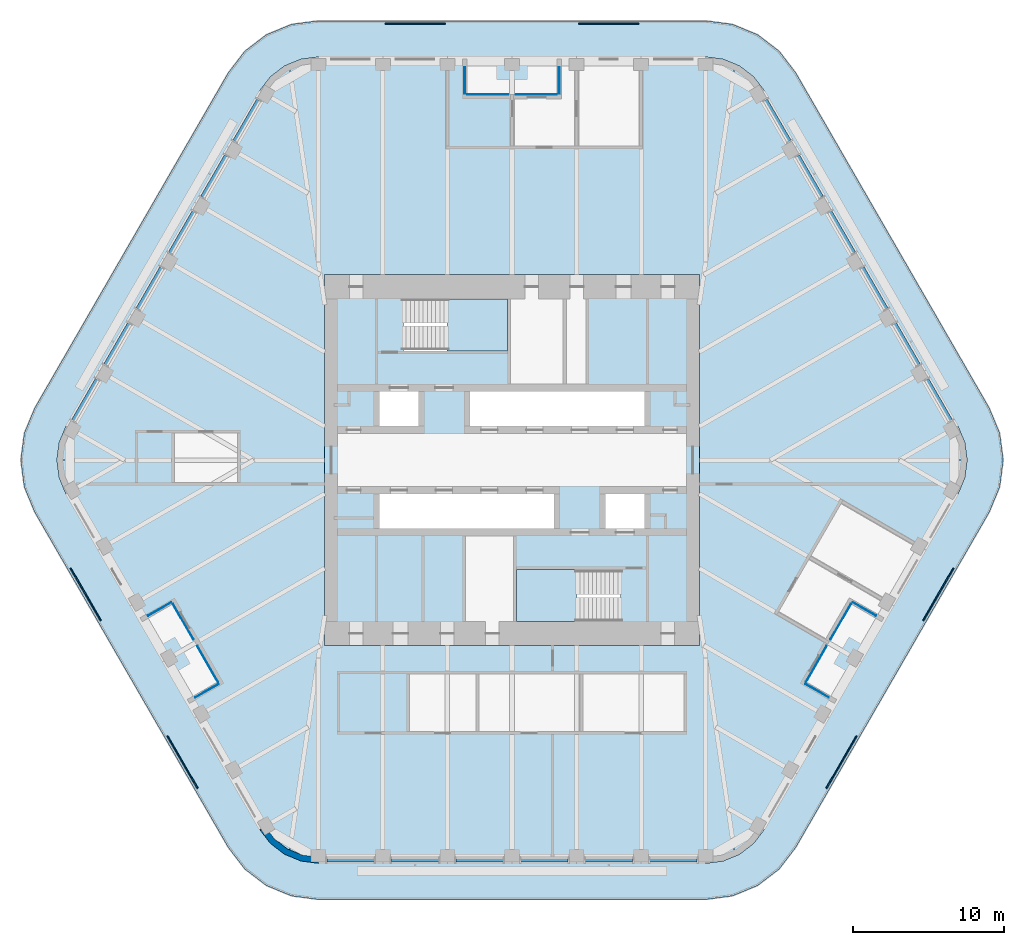
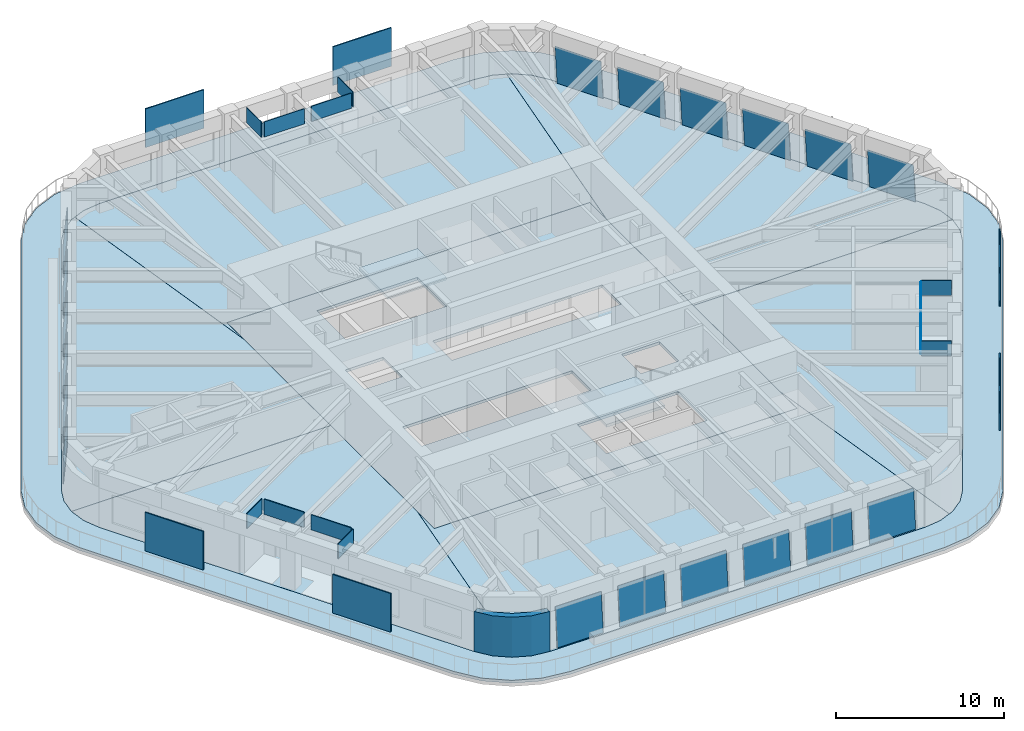
# One storey, part 12 of 19: 36 plates, 10 slabs, 1 wall, 20 elements without a shape of their own.
"""IFC4 building model written with IfcOpenShell, lengths in metres."""

import ifcopenshell
import ifcopenshell.guid

model = None  # the IFC model being written
_history = None  # IfcOwnerHistory: only IFC2X3 demands one
_inside = {}  # id of a spatial element -> (the spatial element, [elements in it])
_under = {}  # id of a project, library or spatial element -> (it, [spatial elements below it])
_declared = {}  # id of a project -> (the project, [libraries it declares])
_typed = {}  # id of a type object -> (the type object, [elements of that type])
_made_of = {}  # id of a material, layer set ... -> (it, [elements and type objects made of it])


def new_model(schema):
    """Start an empty IFC model of exactly this schema.

    Asked for "IFC4X3", IfcOpenShell would pick the latest addendum, in which some entities
    have other attributes; the version numbers below select the first issue.
    IFC2X3 requires an IfcOwnerHistory on every rooted entity: one is made here for all.
    """
    global model, _history
    if schema == "IFC4X3":
        model = ifcopenshell.file(schema_version=(4, 3, 0, 0))
    else:
        model = ifcopenshell.file(schema=schema)
    _inside.clear()
    _under.clear()
    _declared.clear()
    _typed.clear()
    _made_of.clear()
    _history = None
    if model.schema == "IFC2X3":
        org = make("IfcOrganization", Name="unknown")
        user = make(
            "IfcPersonAndOrganization",
            ThePerson=make("IfcPerson", FamilyName="unknown"),
            TheOrganization=org,
        )
        app = make(
            "IfcApplication",
            ApplicationDeveloper=org,
            Version="unknown",
            ApplicationFullName="unknown",
            ApplicationIdentifier="unknown",
        )
        _history = make(
            "IfcOwnerHistory",
            OwningUser=user,
            OwningApplication=app,
            ChangeAction="ADDED",
            CreationDate=0,
        )
    return model


def make(cls, **values):
    """One entity of the class cls with the attributes given. An attribute that is None is left unset."""
    return model.create_entity(
        cls, **{name: value for name, value in values.items() if value is not None}
    )


def rooted(cls, **values):
    """An entity with a GlobalId (a new one), such as an element, a storey or a relation."""
    return make(cls, GlobalId=ifcopenshell.guid.new(), OwnerHistory=_history, **values)


def si_unit(unit_type, name, prefix=None):
    """IfcSIUnit, for example si_unit("LENGTHUNIT", "METRE", prefix="MILLI")."""
    return make("IfcSIUnit", UnitType=unit_type, Prefix=prefix, Name=name)


def assignment(units):
    """IfcUnitAssignment: the units of a project."""
    return None if units is None else make("IfcUnitAssignment", Units=units)


def point(xyz):
    """IfcCartesianPoint."""
    return None if xyz is None else make("IfcCartesianPoint", Coordinates=xyz)


def direction(xyz):
    """IfcDirection."""
    return None if xyz is None else make("IfcDirection", DirectionRatios=xyz)


def frame(location, z_axis=None, x_axis=None):
    """IfcAxis2Placement3D, a coordinate frame: its origin and axes. An axis left out is left unset."""
    return make(
        "IfcAxis2Placement3D",
        Location=point(location),
        Axis=direction(z_axis),
        RefDirection=direction(x_axis),
    )


def frame_2d(location, x_axis=None):
    """IfcAxis2Placement2D, a coordinate frame in the plane: its origin and x axis."""
    return make(
        "IfcAxis2Placement2D", Location=point(location), RefDirection=direction(x_axis)
    )


def origin():
    """The frame at (0, 0, 0) with its axes left unset."""
    return frame((0.0, 0.0, 0.0))


def origin_2d():
    """The frame at (0, 0) in the plane with its x axis left unset."""
    return frame_2d((0.0, 0.0))


def place(relative_to, where):
    """IfcLocalPlacement: puts the frame where relative to a parent placement (None: the world)."""
    return make(
        "IfcLocalPlacement", PlacementRelTo=relative_to, RelativePlacement=where
    )


def context(
    kind, dimensions, precision=None, world=None, true_north=None, identifier=None
):
    """IfcGeometricRepresentationContext, for example the 3D "Model" context."""
    return make(
        "IfcGeometricRepresentationContext",
        ContextIdentifier=identifier,
        ContextType=kind,
        CoordinateSpaceDimension=dimensions,
        Precision=precision,
        WorldCoordinateSystem=world,
        TrueNorth=true_north,
    )


def subcontext(parent, identifier, kind, view, scale=None):
    """IfcGeometricRepresentationSubContext, for example "Body" below "Model"."""
    return make(
        "IfcGeometricRepresentationSubContext",
        ContextIdentifier=identifier,
        ContextType=kind,
        ParentContext=parent,
        TargetScale=scale,
        TargetView=view,
    )


def project(units=None, contexts=None):
    """IfcProject with its units and contexts."""
    return rooted(
        "IfcProject",
        Name="project",
        RepresentationContexts=contexts,
        UnitsInContext=assignment(units),
    )


def spatial(cls, under=None, at=None, **own):
    """A site, building, storey or space (cls), placed at a placement, below another one or the project."""
    s = rooted(cls, ObjectPlacement=at, **own)
    if under is not None:
        _under.setdefault(under.id(), (under, []))[1].append(s)
    return s


def polyline(points):
    """IfcPolyline through the points."""
    return make("IfcPolyline", Points=[point(p) for p in points])


def profile(cls, at=None, kind="AREA", **sizes):
    """A parametric profile (cls). Its sizes go by their IFC names, for example OverallWidth=200.0."""
    return make(cls, ProfileType=kind, Position=at, **sizes)


def rectangle(**sizes):
    """IfcRectangleProfileDef."""
    return profile("IfcRectangleProfileDef", **sizes)


def outline(outer, holes=None, kind="AREA"):
    """IfcArbitraryClosedProfileDef: a profile drawn as a closed curve; with holes, ...WithVoids."""
    if holes is None:
        return make("IfcArbitraryClosedProfileDef", ProfileType=kind, OuterCurve=outer)
    return make(
        "IfcArbitraryProfileDefWithVoids",
        ProfileType=kind,
        OuterCurve=outer,
        InnerCurves=holes,
    )


def extrude(swept, where, along, depth):
    """IfcExtrudedAreaSolid: the profile swept, set in the frame where, extruded along a direction by depth."""
    return make(
        "IfcExtrudedAreaSolid",
        SweptArea=swept,
        Position=where,
        ExtrudedDirection=direction(along),
        Depth=depth,
    )


def shape(context_of_items, identifier, shape_type, items):
    """IfcShapeRepresentation: the items that make up one representation, for example the "Body"."""
    return make(
        "IfcShapeRepresentation",
        ContextOfItems=context_of_items,
        RepresentationIdentifier=identifier,
        RepresentationType=shape_type,
        Items=items,
    )


def material(Name=None, Category=None):
    """IfcMaterial."""
    return make("IfcMaterial", Name=Name, Category=Category)


def layer(
    of_material, thickness, ventilated=None, Name=None, Category=None, Priority=None
):
    """IfcMaterialLayer: one layer of a wall or slab, of a material (None: an air gap)."""
    return make(
        "IfcMaterialLayer",
        Material=of_material,
        LayerThickness=thickness,
        IsVentilated=ventilated,
        Name=Name,
        Category=Category,
        Priority=Priority,
    )


def layer_set(layers, Name=None):
    """IfcMaterialLayerSet."""
    return make("IfcMaterialLayerSet", MaterialLayers=layers, LayerSetName=Name)


def made_of(thing, what):
    """Note that an element or type object is made of a material, layer set ...; save() writes the relation."""
    if what is not None:
        _made_of.setdefault(what.id(), (what, []))[1].append(thing)
    return thing


def type_object(cls, material=None, **own):
    """A type object (cls), such as IfcWallType, which elements share."""
    return made_of(rooted(cls, **own), material)


def element(
    cls,
    number,
    at=None,
    inside=None,
    cuts=None,
    type_object=None,
    material=None,
    context=None,
    identifier="Body",
    shape_type=None,
    held_by="IfcProductDefinitionShape",
    body=None,
    shapes=None,
    **own,
):
    """One element of the class cls, such as IfcWall. Its Tag is "e" and its number.

    at: its placement. inside: the storey or other place that contains it. cuts: it is an
    opening in that element (IfcRelVoidsElement). A single representation is given by context,
    identifier, shape_type and body (its items); several are given by shapes. held_by: the class
    of the entity that holds the representations. save() writes the other relations.
    """
    e = rooted(cls, Tag="e%d" % number, ObjectPlacement=at, **own)
    if body is not None:
        shapes = [shape(context, identifier, shape_type, body)]
    if shapes is not None:
        e.Representation = make(held_by, Representations=shapes)
    if inside is not None:
        _inside.setdefault(inside.id(), (inside, []))[1].append(e)
    if cuts is not None:
        rooted(
            "IfcRelVoidsElement", RelatingBuildingElement=cuts, RelatedOpeningElement=e
        )
    if type_object is not None:
        _typed.setdefault(type_object.id(), (type_object, []))[1].append(e)
    return made_of(e, material)


def aggregate(whole, parts):
    """IfcRelAggregates: a whole, such as a stair, and the parts it consists of."""
    return rooted("IfcRelAggregates", RelatingObject=whole, RelatedObjects=parts)


def save(model, path):
    """Write the relations noted so far, then the file.

    IfcRelAggregates (storeys below a building ...), IfcRelContainedInSpatialStructure (elements
    in a storey), IfcRelDefinesByType, IfcRelAssociatesMaterial and IfcRelDeclares: one each for
    every whole, place, type object, material and project.
    """
    for whole, parts in _under.values():
        aggregate(whole, parts)
    for where, things in _inside.values():
        rooted(
            "IfcRelContainedInSpatialStructure",
            RelatedElements=things,
            RelatingStructure=where,
        )
    for kind, things in _typed.values():
        rooted("IfcRelDefinesByType", RelatedObjects=things, RelatingType=kind)
    for what, things in _made_of.values():
        rooted("IfcRelAssociatesMaterial", RelatedObjects=things, RelatingMaterial=what)
    for by, libraries in _declared.values():
        rooted("IfcRelDeclares", RelatingContext=by, RelatedDefinitions=libraries)
    model.write(path)


model = new_model("IFC4")

# Units and contexts
model_context = context("Model", 3, precision=1e-05, world=origin(), true_north=direction((0.0, 1.0)))
body_context = subcontext(model_context, "Body", "Model", "MODEL_VIEW")
ifc_project = project(units=[si_unit("LENGTHUNIT", "METRE"), si_unit("AREAUNIT", "SQUARE_METRE"), si_unit("VOLUMEUNIT", "CUBIC_METRE"), si_unit("PLANEANGLEUNIT", "RADIAN"), si_unit("MASSUNIT", "GRAM", prefix="KILO")], contexts=[model_context])

# Site, building, storey
site_placement = place(None, origin())
site = spatial("IfcSite", under=ifc_project, at=site_placement, CompositionType="ELEMENT")
building_placement = place(site_placement, origin())
building = spatial("IfcBuilding", under=site, at=building_placement, Name="Tarfa Lantern Tower", CompositionType="ELEMENT")
storey_placement = place(building_placement, frame((0.0, 0.0, 336.699951171875)))
storey = spatial("IfcBuildingStorey", under=building, at=storey_placement, Name="L76", CompositionType="ELEMENT", Elevation=336.699951171875)

# Slab
ifc_material_1 = material(Name="Concrete C40/50", Category="concrete")
ifc_layer_1 = layer(ifc_material_1, 0.199951171875)
ifc_layer_set_1 = layer_set([ifc_layer_1], Name="BS2 BALCONY SLAB 200")
slab_type_1 = type_object("IfcSlabType", Name="BS2 BALCONY SLAB 200", PredefinedType="FLOOR", material=ifc_layer_set_1)
slab_1_placement = place(storey_placement, frame((0.0, 0.0, -0.199951171875)))
element("IfcSlab", 1, at=slab_1_placement, inside=storey, type_object=slab_type_1, Name="Balcony L76", PredefinedType="FLOOR", context=body_context, shape_type="SweptSolid", body=[
    extrude(outline(polyline([(31.667724609375, 3.449951171875), (18.821533203125, 25.699951171875), (17.72509765625, 27.129150390625), (16.296142578125, 28.2255859375), (14.6318359375, 28.914794921875), (12.845947265625, 29.14990234375), (-12.845947265625, 29.14990234375), (-14.6318359375, 28.914794921875), (-16.296142578125, 28.2255859375), (-17.72509765625, 27.129150390625), (-18.821533203125, 25.699951171875), (-31.667724609375, 3.449951171875), (-32.35693359375, 1.785888671875), (-32.592041015625, 0.0), (-32.35693359375, -1.785888671875), (-31.667724609375, -3.449951171875), (-18.821533203125, -25.699951171875), (-17.72509765625, -27.129150390625), (-16.296142578125, -28.2255859375), (-14.6318359375, -28.914794921875), (-12.845947265625, -29.14990234375), (12.845947265625, -29.14990234375), (14.6318359375, -28.914794921875), (16.296142578125, -28.2255859375), (17.72509765625, -27.129150390625), (18.821533203125, -25.699951171875), (31.667724609375, -3.449951171875), (32.35693359375, -1.785888671875), (32.592041015625, 0.0), (32.35693359375, 1.785888671875), (31.667724609375, 3.449951171875)]), holes=[polyline([(29.589111328125, 2.25), (16.7431640625, 24.5), (16.028076171875, 25.431884765625), (15.095947265625, 26.147216796875), (14.0107421875, 26.5966796875), (12.845947265625, 26.75), (-12.845947265625, 26.75), (-14.0107421875, 26.5966796875), (-15.095947265625, 26.147216796875), (-16.028076171875, 25.431884765625), (-16.7431640625, 24.5), (-29.589111328125, 2.25), (-30.038818359375, 1.164794921875), (-30.192138671875, 0.0), (-30.038818359375, -1.164794921875), (-29.589111328125, -2.25), (-16.7431640625, -24.5), (-16.028076171875, -25.431884765625), (-15.095947265625, -26.147216796875), (-14.0107421875, -26.5966796875), (-12.845947265625, -26.75), (12.845947265625, -26.75), (14.0107421875, -26.5966796875), (15.095947265625, -26.147216796875), (16.028076171875, -25.431884765625), (16.7431640625, -24.5), (29.589111328125, -2.25), (30.038818359375, -1.164794921875), (30.192138671875, 0.0), (30.038818359375, 1.164794921875), (29.589111328125, 2.25)])]), origin(), (0.0, 0.0, 1.0), 0.199951171875),
])

# Curtain wall, plate
ifc_material_2 = material(Name="Aluminium framed curtain wall", Category="aluminium")
curtain_wall_type = type_object("IfcCurtainWallType", Name="CW4 CANTED GLAZING EXECUTIVE ZONE 2900", PredefinedType="USERDEFINED", material=ifc_material_2)
curtain_wall_1_placement = place(storey_placement, origin())
curtain_wall_1 = element("IfcCurtainWall", 2, at=curtain_wall_1_placement, inside=storey, type_object=curtain_wall_type, Name="CW4 NE L76", ObjectType="CURTAIN WALL", PredefinedType="USERDEFINED")
ifc_material_3 = material(Name="Laminated double glazing", Category="glass")
ifc_layer_2 = layer(ifc_material_3, 0.028076171875)
ifc_layer_set_2 = layer_set([ifc_layer_2], Name="CWP1 DOUBLE GLAZED PANEL")
plate_type_1 = type_object("IfcPlateType", Name="CWP1 DOUBLE GLAZED PANEL", PredefinedType="CURTAIN_PANEL", material=ifc_layer_set_2)
plate_1_placement = place(storey_placement, frame((29.22021484375, 2.689208984375, 0.0), z_axis=(0.862804843011, 0.49819050769, 0.085872119595), x_axis=(-0.500037562771, 0.866003715822, 0.0)))
plate_1 = element("IfcPlate", 3, at=plate_1_placement, type_object=plate_type_1, Name="CW4 panel 1.1", PredefinedType="CURTAIN_PANEL", context=body_context, shape_type="SweptSolid", body=[
    extrude(outline(polyline([(0.0, 0.0), (3.1521069462545803, 0.0), (3.1522365138844113, 2.845471633558051), (0.00012956762983128145, 2.845471633558051), (0.0, 0.0)])), origin(), (0.0, 0.0, -1.0), 0.028076171875),
])
aggregate(curtain_wall_1, [plate_1])

curtain_wall_2_placement = place(storey_placement, origin())
curtain_wall_2 = element("IfcCurtainWall", 4, at=curtain_wall_2_placement, inside=storey, type_object=curtain_wall_type, Name="CW4 NE L76", ObjectType="CURTAIN WALL", PredefinedType="USERDEFINED")
plate_2_placement = place(storey_placement, frame((27.0791015625, 6.397705078125, 0.0), z_axis=(0.862835078884, 0.498130796369, 0.085914703959), x_axis=(-0.499979472441, 0.866037255052, 0.0)))
plate_2 = element("IfcPlate", 5, at=plate_2_placement, type_object=plate_type_1, Name="CW4 panel 1.1", PredefinedType="CURTAIN_PANEL", context=body_context, shape_type="SweptSolid", body=[
    extrude(outline(polyline([(0.0, 0.0), (3.1519848738624487, 1.3877787807814457e-17), (3.151886616495537, 2.8454821188624972), (-9.82573669122272e-05, 2.8454821188624972), (0.0, 0.0)])), origin(), (0.0, 0.0, -1.0), 0.028076171875),
])
aggregate(curtain_wall_2, [plate_2])

curtain_wall_3_placement = place(storey_placement, origin())
curtain_wall_3 = element("IfcCurtainWall", 6, at=curtain_wall_3_placement, inside=storey, type_object=curtain_wall_type, Name="CW4 NE L76", ObjectType="CURTAIN WALL", PredefinedType="USERDEFINED")
plate_3_placement = place(storey_placement, frame((24.93798828125, 10.10595703125, 0.0), z_axis=(0.862827022781, 0.498148421989, 0.085893413189), x_axis=(-0.499996118478, 0.866027644769, -1.657084e-06)))
plate_3 = element("IfcPlate", 7, at=plate_3_placement, type_object=plate_type_1, Name="CW4 panel 1.1", PredefinedType="CURTAIN_PANEL", context=body_context, shape_type="SweptSolid", body=[
    extrude(outline(polyline([(0.0, 0.0), (3.1519848732758744, -1.3877787807814457e-17), (3.151886617082093, 2.845482118212779), (0.0001131763366805867, 2.8454716336074517), (0.0, 0.0)])), origin(), (0.0, 0.0, -1.0), 0.028076171875),
])
aggregate(curtain_wall_3, [plate_3])

curtain_wall_4_placement = place(storey_placement, origin())
curtain_wall_4 = element("IfcCurtainWall", 8, at=curtain_wall_4_placement, inside=storey, type_object=curtain_wall_type, Name="CW4 NE L76", ObjectType="CURTAIN WALL", PredefinedType="USERDEFINED")
plate_4_placement = place(storey_placement, frame((22.797119140625, 13.814208984375, 0.0), z_axis=(0.862838258141, 0.498132631813, 0.085872122435), x_axis=(-0.499979472441, 0.866037255052, 0.0)))
plate_4 = element("IfcPlate", 9, at=plate_4_placement, type_object=plate_type_1, Name="CW4 panel 1.1", PredefinedType="CURTAIN_PANEL", context=body_context, shape_type="SweptSolid", body=[
    extrude(outline(polyline([(0.0, 0.0), (3.1519848738624487, 0.0), (3.1520980513722585, 2.8454716342571658), (0.0001131775098094225, 2.8454716342571658), (0.0, 0.0)])), origin(), (0.0, 0.0, -1.0), 0.028076171875),
])
aggregate(curtain_wall_4, [plate_4])

curtain_wall_5_placement = place(storey_placement, origin())
curtain_wall_5 = element("IfcCurtainWall", 10, at=curtain_wall_5_placement, inside=storey, type_object=curtain_wall_type, Name="CW4 NE L76", ObjectType="CURTAIN WALL", PredefinedType="USERDEFINED")
plate_5_placement = place(storey_placement, frame((20.656005859375, 17.522705078125, 0.0), z_axis=(0.862835078884, 0.498130796369, 0.085914703959), x_axis=(-0.499979472441, 0.866037255052, 0.0)))
plate_5 = element("IfcPlate", 11, at=plate_5_placement, type_object=plate_type_1, Name="CW4 panel 1.1", PredefinedType="CURTAIN_PANEL", context=body_context, shape_type="SweptSolid", body=[
    extrude(outline(polyline([(0.0, 0.0), (3.1519848738624487, 1.3877787807814457e-17), (3.151886616495537, 2.8454821188624972), (-9.82573669122272e-05, 2.8454821188624972), (0.0, 0.0)])), origin(), (0.0, 0.0, -1.0), 0.028076171875),
])
aggregate(curtain_wall_5, [plate_5])

curtain_wall_6_placement = place(storey_placement, origin())
curtain_wall_6 = element("IfcCurtainWall", 12, at=curtain_wall_6_placement, inside=storey, type_object=curtain_wall_type, Name="CW4 NE L76", ObjectType="CURTAIN WALL", PredefinedType="USERDEFINED")
plate_6_placement = place(storey_placement, frame((18.51513671875, 21.23095703125, 0.0), z_axis=(0.862793605668, 0.498206298305, 0.085893412712), x_axis=(-0.500054209453, 0.865994103678, -1.657212e-06)))
plate_6 = element("IfcPlate", 13, at=plate_6_placement, type_object=plate_type_1, Name="CW4 panel 1.1", PredefinedType="CURTAIN_PANEL", context=body_context, shape_type="SweptSolid", body=[
    extrude(outline(polyline([(0.0, 0.0), (3.1521069456678914, 2.7755575615628914e-17), (3.1520250877826514, 2.8454821187316206), (0.00012956645647832136, 2.845471632908193), (0.0, 0.0)])), origin(), (0.0, 0.0, -1.0), 0.028076171875),
])
aggregate(curtain_wall_6, [plate_6])

curtain_wall_7_placement = place(storey_placement, origin())
curtain_wall_7 = element("IfcCurtainWall", 14, at=curtain_wall_7_placement, inside=storey, type_object=curtain_wall_type, Name="CW4 NW L76", ObjectType="CURTAIN WALL", PredefinedType="USERDEFINED")
plate_7_placement = place(storey_placement, frame((-16.93896484375, 23.960693359375, 0.0), z_axis=(-0.862793605668, 0.498206298305, 0.085893412712), x_axis=(-0.500054209453, -0.865994103678, 1.657212e-06)))
plate_7 = element("IfcPlate", 15, at=plate_7_placement, type_object=plate_type_1, Name="CW4 panel 1.1", PredefinedType="CURTAIN_PANEL", context=body_context, shape_type="SweptSolid", body=[
    extrude(outline(polyline([(0.0, 0.0), (3.1521069456678914, -2.7755575615628914e-17), (3.151977379211413, 2.845471632908193), (8.185788524001455e-05, 2.8454821187316206), (0.0, 0.0)])), origin(), (0.0, 0.0, -1.0), 0.028076171875),
])
aggregate(curtain_wall_7, [plate_7])

curtain_wall_8_placement = place(storey_placement, origin())
curtain_wall_8 = element("IfcCurtainWall", 16, at=curtain_wall_8_placement, inside=storey, type_object=curtain_wall_type, Name="CW4 NW L76", ObjectType="CURTAIN WALL", PredefinedType="USERDEFINED")
plate_8_placement = place(storey_placement, frame((-19.080078125, 20.25244140625, 0.0), z_axis=(-0.862835078884, 0.498130796369, 0.085914703959), x_axis=(-0.499979472441, -0.866037255052, 0.0)))
plate_8 = element("IfcPlate", 17, at=plate_8_placement, type_object=plate_type_1, Name="CW4 panel 1.1", PredefinedType="CURTAIN_PANEL", context=body_context, shape_type="SweptSolid", body=[
    extrude(outline(polyline([(0.0, 0.0), (3.1519848738624487, -1.3877787807814457e-17), (3.1520831312293613, 2.8454821188624972), (9.82573669122272e-05, 2.8454821188624972), (0.0, 0.0)])), origin(), (0.0, 0.0, -1.0), 0.028076171875),
])
aggregate(curtain_wall_8, [plate_8])

curtain_wall_9_placement = place(storey_placement, origin())
curtain_wall_9 = element("IfcCurtainWall", 18, at=curtain_wall_9_placement, inside=storey, type_object=curtain_wall_type, Name="CW4 NW L76", ObjectType="CURTAIN WALL", PredefinedType="USERDEFINED")
plate_9_placement = place(storey_placement, frame((-21.22119140625, 16.5439453125, 0.0), z_axis=(-0.862838258141, 0.498132631813, 0.085872122435), x_axis=(-0.499979472441, -0.866037255052, 0.0)))
plate_9 = element("IfcPlate", 19, at=plate_9_placement, type_object=plate_type_1, Name="CW4 panel 1.1", PredefinedType="CURTAIN_PANEL", context=body_context, shape_type="SweptSolid", body=[
    extrude(outline(polyline([(0.0, 0.0), (3.1519848738624487, 0.0), (3.15187169635264, 2.8454716342571658), (-0.0001131775098094225, 2.8454716342571658), (0.0, 0.0)])), origin(), (0.0, 0.0, -1.0), 0.028076171875),
])
aggregate(curtain_wall_9, [plate_9])

curtain_wall_10_placement = place(storey_placement, origin())
curtain_wall_10 = element("IfcCurtainWall", 20, at=curtain_wall_10_placement, inside=storey, type_object=curtain_wall_type, Name="CW4 NW L76", ObjectType="CURTAIN WALL", PredefinedType="USERDEFINED")
plate_10_placement = place(storey_placement, frame((-23.362060546875, 12.835693359375, 0.0), z_axis=(-0.862827022781, 0.498148421989, 0.085893413189), x_axis=(-0.499996118478, -0.866027644769, 1.657084e-06)))
plate_10 = element("IfcPlate", 21, at=plate_10_placement, type_object=plate_type_1, Name="CW4 panel 1.1", PredefinedType="CURTAIN_PANEL", context=body_context, shape_type="SweptSolid", body=[
    extrude(outline(polyline([(0.0, 0.0), (3.1519848732758744, 1.3877787807814457e-17), (3.151871696939194, 2.8454716336074517), (9.825619378062742e-05, 2.845482118212779), (0.0, 0.0)])), origin(), (0.0, 0.0, -1.0), 0.028076171875),
])
aggregate(curtain_wall_10, [plate_10])

curtain_wall_11_placement = place(storey_placement, origin())
curtain_wall_11 = element("IfcCurtainWall", 22, at=curtain_wall_11_placement, inside=storey, type_object=curtain_wall_type, Name="CW4 NW L76", ObjectType="CURTAIN WALL", PredefinedType="USERDEFINED")
plate_11_placement = place(storey_placement, frame((-25.503173828125, 9.12744140625, 0.0), z_axis=(-0.862835078884, 0.498130796369, 0.085914703959), x_axis=(-0.499979472441, -0.866037255052, 0.0)))
plate_11 = element("IfcPlate", 23, at=plate_11_placement, type_object=plate_type_1, Name="CW4 panel 1.1", PredefinedType="CURTAIN_PANEL", context=body_context, shape_type="SweptSolid", body=[
    extrude(outline(polyline([(0.0, 0.0), (3.1519848738624487, -1.3877787807814457e-17), (3.1520831312293613, 2.8454821188624972), (9.82573669122272e-05, 2.8454821188624972), (0.0, 0.0)])), origin(), (0.0, 0.0, -1.0), 0.028076171875),
])
aggregate(curtain_wall_11, [plate_11])

curtain_wall_12_placement = place(storey_placement, origin())
curtain_wall_12 = element("IfcCurtainWall", 24, at=curtain_wall_12_placement, inside=storey, type_object=curtain_wall_type, Name="CW4 NW L76", ObjectType="CURTAIN WALL", PredefinedType="USERDEFINED")
plate_12_placement = place(storey_placement, frame((-27.64404296875, 5.4189453125, 0.0), z_axis=(-0.862804843011, 0.49819050769, 0.085872119595), x_axis=(-0.500037562771, -0.866003715822, 0.0)))
plate_12 = element("IfcPlate", 25, at=plate_12_placement, type_object=plate_type_1, Name="CW4 panel 1.1", PredefinedType="CURTAIN_PANEL", context=body_context, shape_type="SweptSolid", body=[
    extrude(outline(polyline([(0.0, 0.0), (3.1521069462545803, 0.0), (3.151977378624749, 2.845471633558051), (-0.00012956762983128145, 2.845471633558051), (0.0, 0.0)])), origin(), (0.0, 0.0, -1.0), 0.028076171875),
])
aggregate(curtain_wall_12, [plate_12])

curtain_wall_13_placement = place(storey_placement, origin())
curtain_wall_13 = element("IfcCurtainWall", 26, at=curtain_wall_13_placement, inside=storey, type_object=curtain_wall_type, Name="CW4 S L76", ObjectType="CURTAIN WALL", PredefinedType="USERDEFINED")
plate_13_placement = place(storey_placement, frame((-12.281005859375, -26.64990234375, 0.0), z_axis=(0.0, -0.996305022141, 0.085885405371), x_axis=(1.0, 0.0, 0.0)))
plate_13 = element("IfcPlate", 27, at=plate_13_placement, type_object=plate_type_1, Name="CW4 panel 1.1", PredefinedType="CURTAIN_PANEL", context=body_context, shape_type="SweptSolid", body=[
    extrude(outline(polyline([(0.0, 0.0), (3.15185546875, 0.0), (3.15185546875, 2.8454749042682606), (0.0, 2.8454749042682606), (0.0, 0.0)])), origin(), (0.0, 0.0, -1.0), 0.028076171875),
])
aggregate(curtain_wall_13, [plate_13])

curtain_wall_14_placement = place(storey_placement, origin())
curtain_wall_14 = element("IfcCurtainWall", 28, at=curtain_wall_14_placement, inside=storey, type_object=curtain_wall_type, Name="CW4 S L76", ObjectType="CURTAIN WALL", PredefinedType="USERDEFINED")
plate_14_placement = place(storey_placement, frame((-7.9990234375, -26.64990234375, 0.0), z_axis=(0.0, -0.996305022141, 0.085885405371), x_axis=(1.0, 0.0, 0.0)))
plate_14 = element("IfcPlate", 29, at=plate_14_placement, type_object=plate_type_1, Name="CW4 panel 1.1", PredefinedType="CURTAIN_PANEL", context=body_context, shape_type="SweptSolid", body=[
    extrude(outline(polyline([(0.0, 0.0), (3.152099609375, 0.0), (3.152099609375, 2.8454749042682606), (0.0, 2.8454749042682606), (0.0, 0.0)])), origin(), (0.0, 0.0, -1.0), 0.028076171875),
])
aggregate(curtain_wall_14, [plate_14])

curtain_wall_15_placement = place(storey_placement, origin())
curtain_wall_15 = element("IfcCurtainWall", 30, at=curtain_wall_15_placement, inside=storey, type_object=curtain_wall_type, Name="CW4 S L76", ObjectType="CURTAIN WALL", PredefinedType="USERDEFINED")
plate_15_placement = place(storey_placement, frame((-3.717041015625, -26.64990234375, 0.0), z_axis=(0.0, -0.996305022141, 0.085885405371), x_axis=(1.0, 0.0, 0.0)))
plate_15 = element("IfcPlate", 31, at=plate_15_placement, type_object=plate_type_1, Name="CW4 panel 1.1", PredefinedType="CURTAIN_PANEL", context=body_context, shape_type="SweptSolid", body=[
    extrude(outline(polyline([(0.0, 0.0), (3.152099609375, 0.0), (3.152099609375, 2.8454749042682606), (0.0, 2.8454749042682606), (0.0, 0.0)])), origin(), (0.0, 0.0, -1.0), 0.028076171875),
])
aggregate(curtain_wall_15, [plate_15])

curtain_wall_16_placement = place(storey_placement, origin())
curtain_wall_16 = element("IfcCurtainWall", 32, at=curtain_wall_16_placement, inside=storey, type_object=curtain_wall_type, Name="CW4 S L76", ObjectType="CURTAIN WALL", PredefinedType="USERDEFINED")
plate_16_placement = place(storey_placement, frame((0.56494140625, -26.64990234375, 0.0), z_axis=(0.0, -0.996305022141, 0.085885405371), x_axis=(1.0, 0.0, 0.0)))
plate_16 = element("IfcPlate", 33, at=plate_16_placement, type_object=plate_type_1, Name="CW4 panel 1.1", PredefinedType="CURTAIN_PANEL", context=body_context, shape_type="SweptSolid", body=[
    extrude(outline(polyline([(0.0, 0.0), (3.152099609375, 0.0), (3.152099609375, 2.8454749042682606), (0.0, 2.8454749042682606), (0.0, 0.0)])), origin(), (0.0, 0.0, -1.0), 0.028076171875),
])
aggregate(curtain_wall_16, [plate_16])

curtain_wall_17_placement = place(storey_placement, origin())
curtain_wall_17 = element("IfcCurtainWall", 34, at=curtain_wall_17_placement, inside=storey, type_object=curtain_wall_type, Name="CW4 S L76", ObjectType="CURTAIN WALL", PredefinedType="USERDEFINED")
plate_17_placement = place(storey_placement, frame((4.846923828125, -26.64990234375, 0.0), z_axis=(0.0, -0.996305022141, 0.085885405371), x_axis=(1.0, 0.0, 0.0)))
plate_17 = element("IfcPlate", 35, at=plate_17_placement, type_object=plate_type_1, Name="CW4 panel 1.1", PredefinedType="CURTAIN_PANEL", context=body_context, shape_type="SweptSolid", body=[
    extrude(outline(polyline([(0.0, 0.0), (3.152099609375, 0.0), (3.152099609375, 2.8454749042682606), (0.0, 2.8454749042682606), (0.0, 0.0)])), origin(), (0.0, 0.0, -1.0), 0.028076171875),
])
aggregate(curtain_wall_17, [plate_17])

curtain_wall_18_placement = place(storey_placement, origin())
curtain_wall_18 = element("IfcCurtainWall", 36, at=curtain_wall_18_placement, inside=storey, type_object=curtain_wall_type, Name="CW4 S L76", ObjectType="CURTAIN WALL", PredefinedType="USERDEFINED")
plate_18_placement = place(storey_placement, frame((9.129150390625, -26.64990234375, 0.0), z_axis=(0.0, -0.996305022141, 0.085885405371), x_axis=(1.0, 0.0, 0.0)))
plate_18 = element("IfcPlate", 37, at=plate_18_placement, type_object=plate_type_1, Name="CW4 panel 1.1", PredefinedType="CURTAIN_PANEL", context=body_context, shape_type="SweptSolid", body=[
    extrude(outline(polyline([(0.0, 0.0), (3.15185546875, 0.0), (3.15185546875, 2.8454749042682606), (0.0, 2.8454749042682606), (0.0, 0.0)])), origin(), (0.0, 0.0, -1.0), 0.028076171875),
])
aggregate(curtain_wall_18, [plate_18])

# Slabs
ifc_layer_3 = layer(ifc_material_1, 0.199951171875)
ifc_layer_set_3 = layer_set([ifc_layer_3], Name="FS1 FLOOR SLAB 200")
slab_type_2 = type_object("IfcSlabType", Name="FS1 FLOOR SLAB 200", PredefinedType="FLOOR", material=ifc_layer_set_3)
slab_2_placement = place(storey_placement, frame((0.0, 0.0, -0.199951171875)))
element("IfcSlab", 38, at=slab_2_placement, inside=storey, type_object=slab_type_2, Name="Floor slab L76", PredefinedType="FLOOR", context=body_context, shape_type="SweptSolid", body=[
    extrude(outline(polyline([(-12.425048828125, -12.300048828125), (12.425048828125, -12.300048828125), (12.425048828125, 12.300048828125), (-12.425048828125, 12.300048828125), (-12.425048828125, -12.300048828125)]), holes=[polyline([(-8.800048828125, 2.25), (-6.199951171875, 2.25), (-6.199951171875, 4.550048828125), (-8.800048828125, 4.550048828125), (-8.800048828125, 2.25)]), polyline([(-2.800048828125, 2.25), (8.800048828125, 2.25), (8.800048828125, 4.550048828125), (-2.800048828125, 4.550048828125), (-2.800048828125, 2.25)]), polyline([(8.800048828125, -2.25), (6.199951171875, -2.25), (6.199951171875, -4.550048828125), (8.800048828125, -4.550048828125), (8.800048828125, -2.25)]), polyline([(2.800048828125, -2.25), (-8.800048828125, -2.25), (-8.800048828125, -4.550048828125), (2.800048828125, -4.550048828125), (2.800048828125, -2.25)]), polyline([(-7.199951171875, 7.25), (-0.300048828125, 7.25), (-0.300048828125, 10.699951171875), (-7.199951171875, 10.699951171875), (-7.199951171875, 7.25)]), polyline([(7.199951171875, -7.25), (0.300048828125, -7.25), (0.300048828125, -10.699951171875), (7.199951171875, -10.699951171875), (7.199951171875, -7.25)])]), origin(), (0.0, 0.0, 1.0), 0.199951171875),
])
slab_3_placement = place(storey_placement, frame((0.0, 0.0, -0.199951171875)))
element("IfcSlab", 39, at=slab_3_placement, inside=storey, type_object=slab_type_2, Name="Floor slab L76 NE bay", PredefinedType="FLOOR", context=body_context, shape_type="SweptSolid", body=[
    extrude(outline(polyline([(29.58740234375, 2.2490234375), (16.741455078125, 24.498779296875), (16.026611328125, 25.4306640625), (15.094970703125, 26.145263671875), (14.802001953125, 26.2666015625), (12.427001953125, 10.2998046875), (12.427001953125, 0.001953125), (30.189697265625, 0.001953125), (30.036865234375, 1.1640625), (29.58740234375, 2.2490234375)])), origin(), (0.0, 0.0, 1.0), 0.199951171875),
])
slab_4_placement = place(storey_placement, frame((0.0, 0.0, -0.199951171875)))
element("IfcSlab", 40, at=slab_4_placement, inside=storey, type_object=slab_type_2, Name="Floor slab L76 N bay", PredefinedType="FLOOR", context=body_context, shape_type="SweptSolid", body=[
    extrude(outline(polyline([(-12.427001953125, 10.3271484375), (-12.427001953125, 12.302001953125), (12.427001953125, 12.302001953125), (12.427001953125, 10.3271484375), (14.79833984375, 26.268310546875), (14.01025390625, 26.5947265625), (12.845947265625, 26.748046875), (-12.845947265625, 26.748046875), (-14.01025390625, 26.5947265625), (-14.79833984375, 26.268310546875), (-12.427001953125, 10.3271484375)])), origin(), (0.0, 0.0, 1.0), 0.199951171875),
])
slab_5_placement = place(storey_placement, frame((0.0, 0.0, -0.199951171875)))
element("IfcSlab", 41, at=slab_5_placement, inside=storey, type_object=slab_type_2, Name="Floor slab L76 NW bay", PredefinedType="FLOOR", context=body_context, shape_type="SweptSolid", body=[
    extrude(outline(polyline([(-12.427001953125, 0.001953125), (-12.427001953125, 10.2998046875), (-14.802001953125, 26.2666015625), (-15.094970703125, 26.145263671875), (-16.026611328125, 25.4306640625), (-16.741455078125, 24.498779296875), (-29.58740234375, 2.2490234375), (-30.036865234375, 1.1640625), (-30.189697265625, 0.001953125), (-12.427001953125, 0.001953125)])), origin(), (0.0, 0.0, 1.0), 0.199951171875),
])
slab_6_placement = place(storey_placement, frame((0.0, 0.0, -0.199951171875)))
element("IfcSlab", 42, at=slab_6_placement, inside=storey, type_object=slab_type_2, Name="Floor slab L76 SW bay", PredefinedType="FLOOR", context=body_context, shape_type="SweptSolid", body=[
    extrude(outline(polyline([(-12.427001953125, -10.2998046875), (-12.427001953125, -0.001953125), (-30.189697265625, -0.001953125), (-30.036865234375, -1.1640625), (-29.58740234375, -2.2490234375), (-16.741455078125, -24.498779296875), (-16.026611328125, -25.4306640625), (-15.094970703125, -26.145263671875), (-14.802001953125, -26.2666015625), (-12.427001953125, -10.2998046875)])), origin(), (0.0, 0.0, 1.0), 0.199951171875),
])
slab_7_placement = place(storey_placement, frame((0.0, 0.0, -0.199951171875)))
element("IfcSlab", 43, at=slab_7_placement, inside=storey, type_object=slab_type_2, Name="Floor slab L76 S bay", PredefinedType="FLOOR", context=body_context, shape_type="SweptSolid", body=[
    extrude(outline(polyline([(12.427001953125, -10.3271484375), (12.427001953125, -12.302001953125), (-12.427001953125, -12.302001953125), (-12.427001953125, -10.3271484375), (-14.79833984375, -26.268310546875), (-14.01025390625, -26.5947265625), (-12.845947265625, -26.748046875), (12.845947265625, -26.748046875), (14.01025390625, -26.5947265625), (14.79833984375, -26.268310546875), (12.427001953125, -10.3271484375)])), origin(), (0.0, 0.0, 1.0), 0.199951171875),
])
slab_8_placement = place(storey_placement, frame((0.0, 0.0, -0.199951171875)))
element("IfcSlab", 44, at=slab_8_placement, inside=storey, type_object=slab_type_2, Name="Floor slab L76 SE bay", PredefinedType="FLOOR", context=body_context, shape_type="SweptSolid", body=[
    extrude(outline(polyline([(12.427001953125, -0.001953125), (12.427001953125, -10.2998046875), (14.802001953125, -26.2666015625), (15.094970703125, -26.145263671875), (16.026611328125, -25.4306640625), (16.741455078125, -24.498779296875), (29.58740234375, -2.2490234375), (30.036865234375, -1.1640625), (30.189697265625, -0.001953125), (12.427001953125, -0.001953125)])), origin(), (0.0, 0.0, 1.0), 0.199951171875),
])

# Plates
ifc_material_4 = material(Name="Aluminium fascia panel", Category="aluminium")
ifc_layer_4 = layer(ifc_material_4, 0.050048828125)
ifc_layer_set_4 = layer_set([ifc_layer_4], Name="LF1 LOGGIA HEAD FASCIA 50")
plate_type_2 = type_object("IfcPlateType", Name="LF1 LOGGIA HEAD FASCIA 50", PredefinedType="USERDEFINED", material=ifc_layer_set_4)
for number, where, z_axis, x_axis, name in (
    (45, (1.615966796875, 24.25, 2.89990234375), (0.0, 0.0, 1.0), (-1.0, 0.0, 0.0), "Terrace head fascia N"),
    (46, (-1.615966796875, 24.25, 2.89990234375), (0.0, 0.0, 1.0), (-1.0, 0.0, 0.0), "Terrace head fascia N"),
):
    element("IfcPlate", number, at=place(storey_placement, frame(where, z_axis=z_axis, x_axis=x_axis)), inside=storey, type_object=plate_type_2, Name=name, ObjectType="FASCIA", PredefinedType="USERDEFINED", context=body_context, shape_type="SweptSolid", body=[
        extrude(rectangle(XDim=2.73193359375, YDim=0.050048828125, at=origin_2d()), origin(), (0.0, 0.0, 1.0), 1.10009765625),
    ])
for number, where, z_axis, x_axis, name in (
    (47, (3.132080078125, 25.18505859375, 2.89990234375), (0.0, 0.0, 1.0), (0.0, -1.0, 0.0), "Terrace head fascia N"),
    (48, (-3.132080078125, 25.18505859375, 2.89990234375), (0.0, 0.0, 1.0), (0.0, -1.0, 0.0), "Terrace head fascia N"),
):
    element("IfcPlate", number, at=place(storey_placement, frame(where, z_axis=z_axis, x_axis=x_axis)), inside=storey, type_object=plate_type_2, Name=name, ObjectType="FASCIA", PredefinedType="USERDEFINED", context=body_context, shape_type="SweptSolid", body=[
        extrude(rectangle(XDim=1.77001953125, YDim=0.050048828125, at=origin_2d()), origin(), (0.0, 0.0, 1.0), 1.10009765625),
    ])
for number, where, z_axis, x_axis, name in (
    (49, (-21.80908203125, -10.7255859375, 2.89990234375), (0.0, 0.0, 1.0), (0.5, -0.866025403784, 0.0), "Terrace head fascia SW"),
    (50, (-20.193115234375, -13.5244140625, 2.89990234375), (0.0, 0.0, 1.0), (0.5, -0.866025403784, 0.0), "Terrace head fascia SW"),
):
    element("IfcPlate", number, at=place(storey_placement, frame(where, z_axis=z_axis, x_axis=x_axis)), inside=storey, type_object=plate_type_2, Name=name, ObjectType="FASCIA", PredefinedType="USERDEFINED", context=body_context, shape_type="SweptSolid", body=[
        extrude(rectangle(XDim=2.73193359375, YDim=0.050048828125, at=origin_2d()), origin(), (0.0, 0.0, 1.0), 1.10009765625),
    ])
for number, where, z_axis, x_axis, name in (
    (51, (-23.376953125, -9.880126953125, 2.89990234375), (0.0, 0.0, 1.0), (0.866025403784, 0.5, 0.0), "Terrace head fascia SW"),
    (52, (-20.244873046875, -15.304931640625, 2.89990234375), (0.0, 0.0, 1.0), (0.866025403784, 0.5, 0.0), "Terrace head fascia SW"),
):
    element("IfcPlate", number, at=place(storey_placement, frame(where, z_axis=z_axis, x_axis=x_axis)), inside=storey, type_object=plate_type_2, Name=name, ObjectType="FASCIA", PredefinedType="USERDEFINED", context=body_context, shape_type="SweptSolid", body=[
        extrude(rectangle(XDim=1.77001953125, YDim=0.050048828125, at=origin_2d()), origin(), (0.0, 0.0, 1.0), 1.10009765625),
    ])
for number, where, z_axis, x_axis, name in (
    (53, (20.193115234375, -13.5244140625, 2.89990234375), (0.0, 0.0, 1.0), (0.5, 0.866025403784, 0.0), "Terrace head fascia SE"),
    (54, (21.80908203125, -10.7255859375, 2.89990234375), (0.0, 0.0, 1.0), (0.5, 0.866025403784, 0.0), "Terrace head fascia SE"),
):
    element("IfcPlate", number, at=place(storey_placement, frame(where, z_axis=z_axis, x_axis=x_axis)), inside=storey, type_object=plate_type_2, Name=name, ObjectType="FASCIA", PredefinedType="USERDEFINED", context=body_context, shape_type="SweptSolid", body=[
        extrude(rectangle(XDim=2.73193359375, YDim=0.050048828125, at=origin_2d()), origin(), (0.0, 0.0, 1.0), 1.10009765625),
    ])
for number, where, z_axis, x_axis, name in (
    (55, (20.244873046875, -15.304931640625, 2.89990234375), (0.0, 0.0, 1.0), (-0.866025403784, 0.5, 0.0), "Terrace head fascia SE"),
    (56, (23.376953125, -9.880126953125, 2.89990234375), (0.0, 0.0, 1.0), (-0.866025403784, 0.5, 0.0), "Terrace head fascia SE"),
):
    element("IfcPlate", number, at=place(storey_placement, frame(where, z_axis=z_axis, x_axis=x_axis)), inside=storey, type_object=plate_type_2, Name=name, ObjectType="FASCIA", PredefinedType="USERDEFINED", context=body_context, shape_type="SweptSolid", body=[
        extrude(rectangle(XDim=1.77001953125, YDim=0.050048828125, at=origin_2d()), origin(), (0.0, 0.0, 1.0), 1.10009765625),
    ])
ifc_material_5 = material(Name="Perforated limestone screen", Category="masonry")
ifc_layer_5 = layer(ifc_material_5, 0.080078125)
ifc_layer_set_5 = layer_set([ifc_layer_5], Name="SC1 STONE SCREEN 80")
plate_type_3 = type_object("IfcPlateType", Name="SC1 STONE SCREEN 80", PredefinedType="USERDEFINED", material=ifc_layer_set_5)
for number, where, z_axis, x_axis, name in (
    (57, (6.423095703125, 28.949951171875, 1.2001953125), (0.0, 0.0, 1.0), (-1.0, 0.0, 0.0), "Stone screen N 1"),
    (58, (-6.423095703125, 28.949951171875, 1.2001953125), (0.0, 0.0, 1.0), (-1.0, 0.0, 0.0), "Stone screen N 2"),
    (59, (-28.282958984375, -8.91259765625, 1.2001953125), (0.0, 0.0, 1.0), (0.5, -0.866025403784, 0.0), "Stone screen SW 1"),
    (60, (-21.85986328125, -20.03759765625, 1.2001953125), (0.0, 0.0, 1.0), (0.5, -0.866025403784, 0.0), "Stone screen SW 2"),
    (61, (21.85986328125, -20.03759765625, 1.2001953125), (0.0, 0.0, 1.0), (0.5, 0.866025403784, 0.0), "Stone screen SE 1"),
    (62, (28.282958984375, -8.91259765625, 1.2001953125), (0.0, 0.0, 1.0), (0.5, 0.866025403784, 0.0), "Stone screen SE 2"),
):
    element("IfcPlate", number, at=place(storey_placement, frame(where, z_axis=z_axis, x_axis=x_axis)), inside=storey, type_object=plate_type_3, Name=name, ObjectType="SCREEN", PredefinedType="USERDEFINED", context=body_context, shape_type="SweptSolid", body=[
        extrude(rectangle(XDim=4.0, YDim=0.080078125, at=origin_2d()), origin(), (0.0, 0.0, 1.0), 2.800048828125),
    ])

# Stair, slab
stair_type = type_object("IfcStairType", Name="ST-T10 HALF-TURN STAIR 4200 RISE", PredefinedType="HALF_TURN_STAIR", material=ifc_material_1)
stair_1_placement = place(storey_placement, origin())
stair_1 = element("IfcStair", 63, at=stair_1_placement, inside=storey, type_object=stair_type, Name="Stair ST1", PredefinedType="HALF_TURN_STAIR")
ifc_layer_6 = layer(ifc_material_1, 0.199951171875)
ifc_layer_set_6 = layer_set([ifc_layer_6], Name="SL1 STAIR LANDING 200")
slab_type_3 = type_object("IfcSlabType", Name="SL1 STAIR LANDING 200", PredefinedType="LANDING", material=ifc_layer_set_6)
slab_9_placement = place(storey_placement, frame((0.0, 0.0, 1.900146484375)))
slab_9 = element("IfcSlab", 64, at=slab_9_placement, type_object=slab_type_3, Name="ST1 landing 1", PredefinedType="LANDING", context=body_context, shape_type="SweptSolid", body=[
    extrude(outline(polyline([(-4.320068359375, 7.25), (-0.300048828125, 7.25), (-0.300048828125, 10.699951171875), (-4.320068359375, 10.699951171875), (-4.320068359375, 7.25)])), origin(), (0.0, 0.0, 1.0), 0.199951171875),
])
aggregate(stair_1, [slab_9])

stair_2_placement = place(storey_placement, origin())
stair_2 = element("IfcStair", 65, at=stair_2_placement, inside=storey, type_object=stair_type, Name="Stair ST2", PredefinedType="HALF_TURN_STAIR")
slab_10_placement = place(storey_placement, frame((0.0, 0.0, 1.900146484375)))
slab_10 = element("IfcSlab", 66, at=slab_10_placement, type_object=slab_type_3, Name="ST2 landing 1", PredefinedType="LANDING", context=body_context, shape_type="SweptSolid", body=[
    extrude(outline(polyline([(4.320068359375, -7.25), (0.300048828125, -7.25), (0.300048828125, -10.699951171875), (4.320068359375, -10.699951171875), (4.320068359375, -7.25)])), origin(), (0.0, 0.0, 1.0), 0.199951171875),
])
aggregate(stair_2, [slab_10])

# Wall
ifc_material_6 = material(Name="Limestone cladding on blockwork", Category="masonry")
ifc_layer_7 = layer(ifc_material_6, 0.39990234375)
ifc_layer_set_7 = layer_set([ifc_layer_7], Name="EW2 CURVED STONE CORNER 400")
wall_type = type_object("IfcWallType", Name="EW2 CURVED STONE CORNER 400", PredefinedType="SOLIDWALL", material=ifc_layer_set_7)
wall_placement = place(storey_placement, origin())
element("IfcWall", 67, at=wall_placement, inside=storey, type_object=wall_type, Name="Stone corner SW-S", PredefinedType="SOLIDWALL", context=body_context, shape_type="SweptSolid", body=[
    extrude(outline(polyline([(-16.7431640625, -24.5), (-16.028076171875, -25.431884765625), (-15.095947265625, -26.147216796875), (-14.0107421875, -26.5966796875), (-12.845947265625, -26.75), (-12.845947265625, -26.35009765625), (-13.9072265625, -26.210205078125), (-14.89599609375, -25.80078125), (-15.7451171875, -25.149169921875), (-16.396728515625, -24.300048828125), (-16.7431640625, -24.5)])), origin(), (0.0, 0.0, 1.0), 2.900146484375),
])

save(model, "model.ifc")
